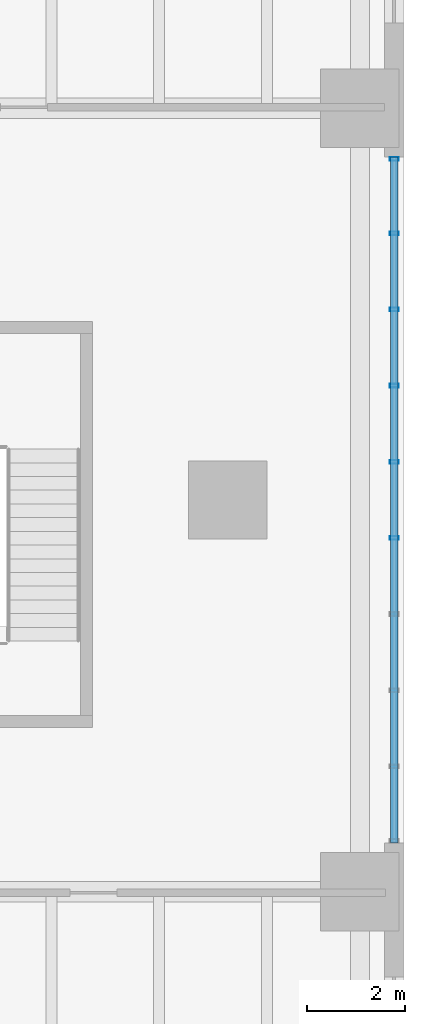
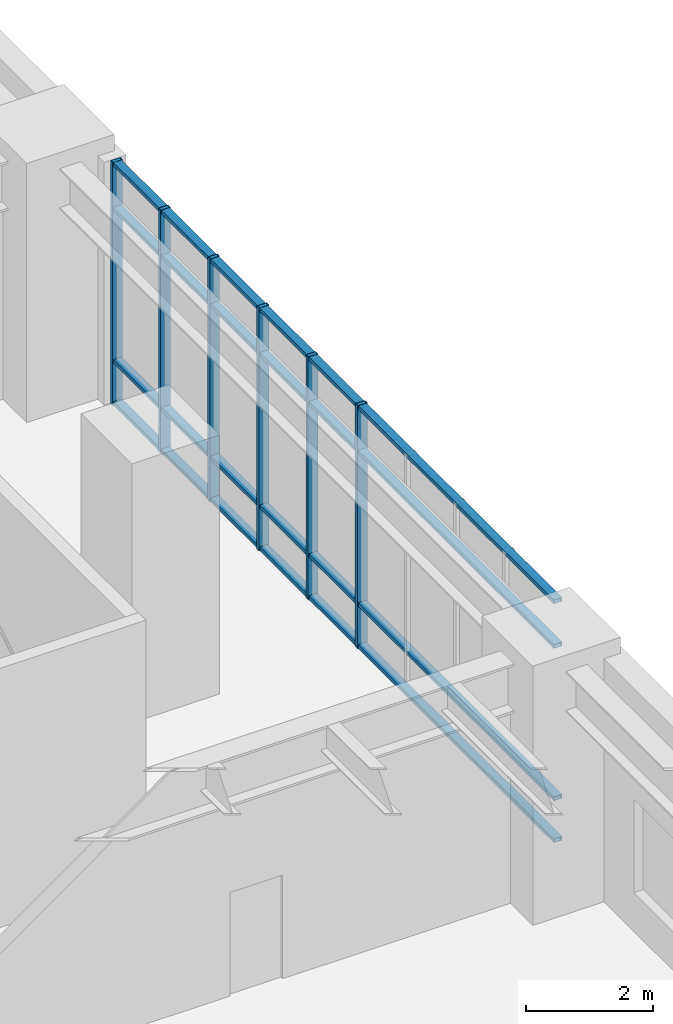
# One storey, part 10 of 18: 10 members, 1 element without a shape of its own.
"""IFC4 building model written with IfcOpenShell, lengths in metres."""

from ifc_helpers import new_model, si_unit, direction, frame, origin, origin_2d, place, context, subcontext, project, spatial, hollow_rectangle, extrude, material, layer, layer_set, material_profile, profile_set, type_object, element, aggregate, save


model = new_model("IFC4")

# Units and contexts
model_context = context("Model", 3, precision=1e-05, world=origin(), true_north=direction((0.0, 1.0)))
body_context = subcontext(model_context, "Body", "Model", "MODEL_VIEW")
ifc_project = project(units=[si_unit("LENGTHUNIT", "METRE"), si_unit("AREAUNIT", "SQUARE_METRE"), si_unit("VOLUMEUNIT", "CUBIC_METRE"), si_unit("PLANEANGLEUNIT", "RADIAN"), si_unit("MASSUNIT", "GRAM", prefix="KILO"), si_unit("THERMODYNAMICTEMPERATUREUNIT", "KELVIN"), si_unit("POWERUNIT", "WATT")], contexts=[model_context])

# Site, building, storey
site_placement = place(None, origin())
site = spatial("IfcSite", under=ifc_project, at=site_placement, CompositionType="ELEMENT")
building_placement = place(site_placement, origin())
building = spatial("IfcBuilding", under=site, at=building_placement, Name="Skarre Station Tower", CompositionType="ELEMENT")
storey_placement = place(building_placement, frame((0.0, 0.0, 11.0)))
storey = spatial("IfcBuildingStorey", under=building, at=storey_placement, Name="L03", CompositionType="ELEMENT", Elevation=11.0)

# Curtain wall, members
ifc_material_1 = material(Name="Thermally Broken Bronze-Anodized Aluminium & Triple Low-E Glass", Category="aluminium")
ifc_layer = layer(ifc_material_1, 0.239990234375, Name="Thermally Broken Bronze-Anodized Aluminium & Triple Low-E Glass")
ifc_layer_set = layer_set([ifc_layer], Name="Thermally Broken Bronze-Anodized Aluminium & Triple Low-E Glass")
curtain_wall_type = type_object("IfcCurtainWallType", Name="Station Concourse Monumental Unitised Curtain Wall", PredefinedType="NOTDEFINED", material=ifc_layer_set)
curtain_wall_placement = place(storey_placement, origin())
curtain_wall = element("IfcCurtainWall", 1, at=curtain_wall_placement, inside=storey, type_object=curtain_wall_type, Name="L03 East Forum Clerestory Curtain Wall", PredefinedType="NOTDEFINED")
ifc_material_2 = material(Name="Anodized Aluminium 6063-T6", Category="aluminium")
ifc_material_profile_1 = material_profile(ifc_material_2, hollow_rectangle(XDim=0.074951171875, YDim=0.179931640625, WallThickness=0.00390625, at=origin_2d()), Name="Anodized Aluminium 6063-T6")
ifc_profile_set_1 = profile_set([ifc_material_profile_1], Name="Anodized Aluminium 6063-T6")
member_type_1 = type_object("IfcMemberType", Name="Curtain-Wall Heavy Concourse Mullion 180x75", PredefinedType="MULLION", material=ifc_profile_set_1)
member_1_placement = place(storey_placement, frame((71.800048828125, 30.9599609375, 0.0), z_axis=(0.0, 0.0, 1.0), x_axis=(0.0, -1.0, 0.0)))
member_1 = element("IfcMember", 2, at=member_1_placement, type_object=member_type_1, Name="L03 East Forum Clerestory Curtain Wall Mullion 1", PredefinedType="MULLION", context=body_context, shape_type="SweptSolid", body=[
    extrude(hollow_rectangle(XDim=0.074951171875, YDim=0.179931640625, WallThickness=0.00390625, at=origin_2d()), origin(), (0.0, 0.0, 1.0), 4.68994140625),
])
member_2_placement = place(storey_placement, frame((71.800048828125, 29.444091796875, 0.0), z_axis=(0.0, 0.0, 1.0), x_axis=(0.0, -1.0, 0.0)))
member_2 = element("IfcMember", 3, at=member_2_placement, type_object=member_type_1, Name="L03 East Forum Clerestory Curtain Wall Mullion 2", PredefinedType="MULLION", context=body_context, shape_type="SweptSolid", body=[
    extrude(hollow_rectangle(XDim=0.074951171875, YDim=0.179931640625, WallThickness=0.00390625, at=origin_2d()), origin(), (0.0, 0.0, 1.0), 4.68994140625),
])
member_3_placement = place(storey_placement, frame((71.800048828125, 27.888916015625, 0.0), z_axis=(0.0, 0.0, 1.0), x_axis=(0.0, -1.0, 0.0)))
member_3 = element("IfcMember", 4, at=member_3_placement, type_object=member_type_1, Name="L03 East Forum Clerestory Curtain Wall Mullion 3", PredefinedType="MULLION", context=body_context, shape_type="SweptSolid", body=[
    extrude(hollow_rectangle(XDim=0.074951171875, YDim=0.179931640625, WallThickness=0.00390625, at=origin_2d()), origin(), (0.0, 0.0, 1.0), 4.68994140625),
])
member_4_placement = place(storey_placement, frame((71.800048828125, 26.3330078125, 0.0), z_axis=(0.0, 0.0, 1.0), x_axis=(0.0, -1.0, 0.0)))
member_4 = element("IfcMember", 5, at=member_4_placement, type_object=member_type_1, Name="L03 East Forum Clerestory Curtain Wall Mullion 4", PredefinedType="MULLION", context=body_context, shape_type="SweptSolid", body=[
    extrude(hollow_rectangle(XDim=0.074951171875, YDim=0.179931640625, WallThickness=0.00390625, at=origin_2d()), origin(), (0.0, 0.0, 1.0), 4.68994140625),
])
member_5_placement = place(storey_placement, frame((71.800048828125, 24.778076171875, 0.0), z_axis=(0.0, 0.0, 1.0), x_axis=(0.0, -1.0, 0.0)))
member_5 = element("IfcMember", 6, at=member_5_placement, type_object=member_type_1, Name="L03 East Forum Clerestory Curtain Wall Mullion 5", PredefinedType="MULLION", context=body_context, shape_type="SweptSolid", body=[
    extrude(hollow_rectangle(XDim=0.074951171875, YDim=0.179931640625, WallThickness=0.00390625, at=origin_2d()), origin(), (0.0, 0.0, 1.0), 4.68994140625),
])
member_6_placement = place(storey_placement, frame((71.800048828125, 23.221923828125, 0.0), z_axis=(0.0, 0.0, 1.0), x_axis=(0.0, -1.0, 0.0)))
member_6 = element("IfcMember", 7, at=member_6_placement, type_object=member_type_1, Name="L03 East Forum Clerestory Curtain Wall Mullion 6", PredefinedType="MULLION", context=body_context, shape_type="SweptSolid", body=[
    extrude(hollow_rectangle(XDim=0.074951171875, YDim=0.179931640625, WallThickness=0.00390625, at=origin_2d()), origin(), (0.0, 0.0, 1.0), 4.68994140625),
])
ifc_material_profile_2 = material_profile(ifc_material_2, hollow_rectangle(XDim=0.074951171875, YDim=0.14990234375, WallThickness=0.00390625, at=origin_2d()), Name="Anodized Aluminium 6063-T6")
ifc_profile_set_2 = profile_set([ifc_material_profile_2], Name="Anodized Aluminium 6063-T6")
member_type_2 = type_object("IfcMemberType", Name="Curtain-Wall Horizontal Transom 150x75", PredefinedType="USERDEFINED", material=ifc_profile_set_2)
member_7_placement = place(storey_placement, frame((71.800048828125, 31.0, 0.0400390625), z_axis=(0.0, -1.0, 0.0), x_axis=(0.0, 0.0, 1.0)))
member_7 = element("IfcMember", 8, at=member_7_placement, type_object=member_type_2, Name="L03 East Forum Clerestory Curtain Wall Transom 1", ObjectType="TRANSOM", PredefinedType="USERDEFINED", context=body_context, shape_type="SweptSolid", body=[
    extrude(hollow_rectangle(XDim=0.074951171875, YDim=0.14990234375, WallThickness=0.00390625, at=origin_2d()), origin(), (0.0, 0.0, 1.0), 14.0),
])
member_8_placement = place(storey_placement, frame((71.800048828125, 31.0, 0.85009765625), z_axis=(0.0, -1.0, 0.0), x_axis=(0.0, 0.0, 1.0)))
member_8 = element("IfcMember", 9, at=member_8_placement, type_object=member_type_2, Name="L03 East Forum Clerestory Curtain Wall Transom 2", ObjectType="TRANSOM", PredefinedType="USERDEFINED", context=body_context, shape_type="SweptSolid", body=[
    extrude(hollow_rectangle(XDim=0.074951171875, YDim=0.14990234375, WallThickness=0.00390625, at=origin_2d()), origin(), (0.0, 0.0, 1.0), 14.0),
])
member_9_placement = place(storey_placement, frame((71.800048828125, 31.0, 3.7900390625), z_axis=(0.0, -1.0, 0.0), x_axis=(0.0, 0.0, 1.0)))
member_9 = element("IfcMember", 10, at=member_9_placement, type_object=member_type_2, Name="L03 East Forum Clerestory Curtain Wall Transom 3", ObjectType="TRANSOM", PredefinedType="USERDEFINED", context=body_context, shape_type="SweptSolid", body=[
    extrude(hollow_rectangle(XDim=0.074951171875, YDim=0.14990234375, WallThickness=0.00390625, at=origin_2d()), origin(), (0.0, 0.0, 1.0), 14.0),
])
member_10_placement = place(storey_placement, frame((71.800048828125, 31.0, 4.64990234375), z_axis=(0.0, -1.0, 0.0), x_axis=(0.0, 0.0, 1.0)))
member_10 = element("IfcMember", 11, at=member_10_placement, type_object=member_type_2, Name="L03 East Forum Clerestory Curtain Wall Transom 4", ObjectType="TRANSOM", PredefinedType="USERDEFINED", context=body_context, shape_type="SweptSolid", body=[
    extrude(hollow_rectangle(XDim=0.074951171875, YDim=0.14990234375, WallThickness=0.00390625, at=origin_2d()), origin(), (0.0, 0.0, 1.0), 14.0),
])
aggregate(curtain_wall, [member_1, member_2, member_3, member_4, member_5, member_6, member_7, member_8, member_9, member_10])

save(model, "model.ifc")
